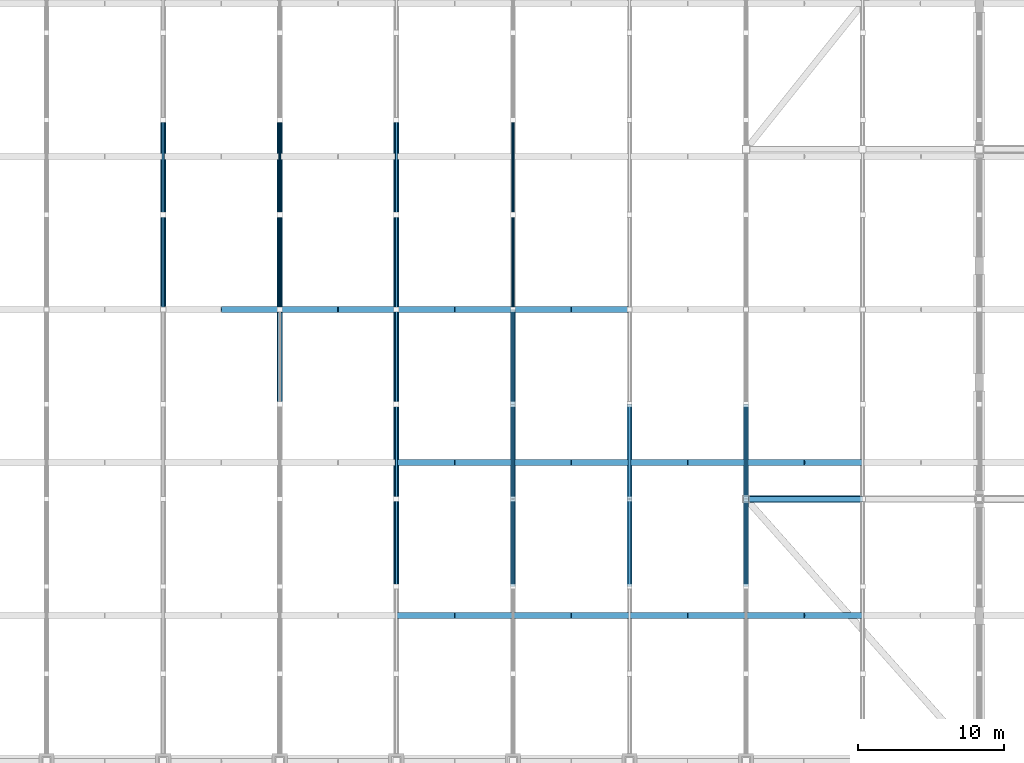
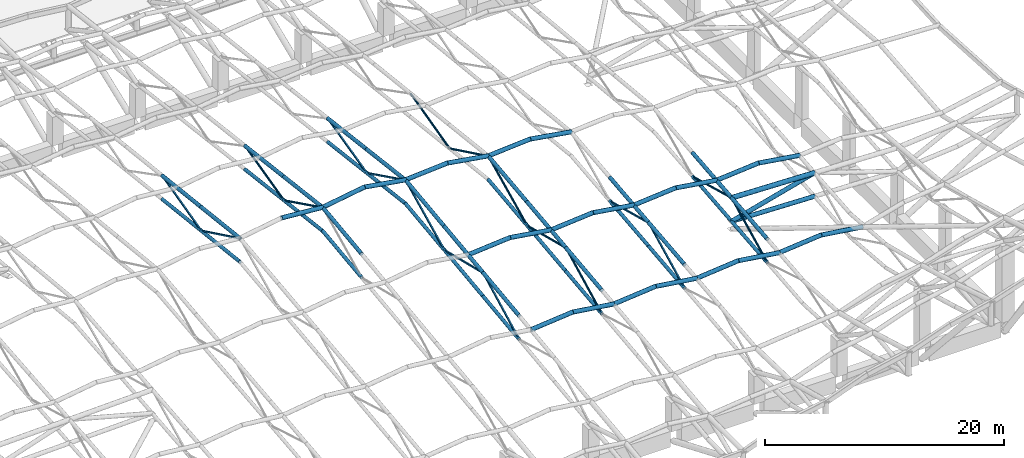
# One storey, part 8 of 75: 78 members.
"""IFC4 building model written with IfcOpenShell, lengths in metres."""

import ifcopenshell
import ifcopenshell.guid

model = None  # the IFC model being written
_history = None  # IfcOwnerHistory: only IFC2X3 demands one
_inside = {}  # id of a spatial element -> (the spatial element, [elements in it])
_under = {}  # id of a project, library or spatial element -> (it, [spatial elements below it])
_declared = {}  # id of a project -> (the project, [libraries it declares])
_typed = {}  # id of a type object -> (the type object, [elements of that type])
_made_of = {}  # id of a material, layer set ... -> (it, [elements and type objects made of it])


def new_model(schema):
    """Start an empty IFC model of exactly this schema.

    Asked for "IFC4X3", IfcOpenShell would pick the latest addendum, in which some entities
    have other attributes; the version numbers below select the first issue.
    IFC2X3 requires an IfcOwnerHistory on every rooted entity: one is made here for all.
    """
    global model, _history
    if schema == "IFC4X3":
        model = ifcopenshell.file(schema_version=(4, 3, 0, 0))
    else:
        model = ifcopenshell.file(schema=schema)
    _inside.clear()
    _under.clear()
    _declared.clear()
    _typed.clear()
    _made_of.clear()
    _history = None
    if model.schema == "IFC2X3":
        org = make("IfcOrganization", Name="unknown")
        user = make(
            "IfcPersonAndOrganization",
            ThePerson=make("IfcPerson", FamilyName="unknown"),
            TheOrganization=org,
        )
        app = make(
            "IfcApplication",
            ApplicationDeveloper=org,
            Version="unknown",
            ApplicationFullName="unknown",
            ApplicationIdentifier="unknown",
        )
        _history = make(
            "IfcOwnerHistory",
            OwningUser=user,
            OwningApplication=app,
            ChangeAction="ADDED",
            CreationDate=0,
        )
    return model


def make(cls, **values):
    """One entity of the class cls with the attributes given. An attribute that is None is left unset."""
    return model.create_entity(
        cls, **{name: value for name, value in values.items() if value is not None}
    )


def rooted(cls, **values):
    """An entity with a GlobalId (a new one), such as an element, a storey or a relation."""
    return make(cls, GlobalId=ifcopenshell.guid.new(), OwnerHistory=_history, **values)


def si_unit(unit_type, name, prefix=None):
    """IfcSIUnit, for example si_unit("LENGTHUNIT", "METRE", prefix="MILLI")."""
    return make("IfcSIUnit", UnitType=unit_type, Prefix=prefix, Name=name)


def assignment(units):
    """IfcUnitAssignment: the units of a project."""
    return None if units is None else make("IfcUnitAssignment", Units=units)


def point(xyz):
    """IfcCartesianPoint."""
    return None if xyz is None else make("IfcCartesianPoint", Coordinates=xyz)


def direction(xyz):
    """IfcDirection."""
    return None if xyz is None else make("IfcDirection", DirectionRatios=xyz)


def frame(location, z_axis=None, x_axis=None):
    """IfcAxis2Placement3D, a coordinate frame: its origin and axes. An axis left out is left unset."""
    return make(
        "IfcAxis2Placement3D",
        Location=point(location),
        Axis=direction(z_axis),
        RefDirection=direction(x_axis),
    )


def frame_2d(location, x_axis=None):
    """IfcAxis2Placement2D, a coordinate frame in the plane: its origin and x axis."""
    return make(
        "IfcAxis2Placement2D", Location=point(location), RefDirection=direction(x_axis)
    )


def origin():
    """The frame at (0, 0, 0) with its axes left unset."""
    return frame((0.0, 0.0, 0.0))


def origin_2d():
    """The frame at (0, 0) in the plane with its x axis left unset."""
    return frame_2d((0.0, 0.0))


def place(relative_to, where):
    """IfcLocalPlacement: puts the frame where relative to a parent placement (None: the world)."""
    return make(
        "IfcLocalPlacement", PlacementRelTo=relative_to, RelativePlacement=where
    )


def context(
    kind, dimensions, precision=None, world=None, true_north=None, identifier=None
):
    """IfcGeometricRepresentationContext, for example the 3D "Model" context."""
    return make(
        "IfcGeometricRepresentationContext",
        ContextIdentifier=identifier,
        ContextType=kind,
        CoordinateSpaceDimension=dimensions,
        Precision=precision,
        WorldCoordinateSystem=world,
        TrueNorth=true_north,
    )


def subcontext(parent, identifier, kind, view, scale=None):
    """IfcGeometricRepresentationSubContext, for example "Body" below "Model"."""
    return make(
        "IfcGeometricRepresentationSubContext",
        ContextIdentifier=identifier,
        ContextType=kind,
        ParentContext=parent,
        TargetScale=scale,
        TargetView=view,
    )


def project(units=None, contexts=None):
    """IfcProject with its units and contexts."""
    return rooted(
        "IfcProject",
        Name="project",
        RepresentationContexts=contexts,
        UnitsInContext=assignment(units),
    )


def spatial(cls, under=None, at=None, **own):
    """A site, building, storey or space (cls), placed at a placement, below another one or the project."""
    s = rooted(cls, ObjectPlacement=at, **own)
    if under is not None:
        _under.setdefault(under.id(), (under, []))[1].append(s)
    return s


def profile(cls, at=None, kind="AREA", **sizes):
    """A parametric profile (cls). Its sizes go by their IFC names, for example OverallWidth=200.0."""
    return make(cls, ProfileType=kind, Position=at, **sizes)


def hollow_rectangle(**sizes):
    """IfcRectangleHollowProfileDef."""
    return profile("IfcRectangleHollowProfileDef", **sizes)


def hollow_circle(**sizes):
    """IfcCircleHollowProfileDef."""
    return profile("IfcCircleHollowProfileDef", **sizes)


def extrude(swept, where, along, depth):
    """IfcExtrudedAreaSolid: the profile swept, set in the frame where, extruded along a direction by depth."""
    return make(
        "IfcExtrudedAreaSolid",
        SweptArea=swept,
        Position=where,
        ExtrudedDirection=direction(along),
        Depth=depth,
    )


def shape(context_of_items, identifier, shape_type, items):
    """IfcShapeRepresentation: the items that make up one representation, for example the "Body"."""
    return make(
        "IfcShapeRepresentation",
        ContextOfItems=context_of_items,
        RepresentationIdentifier=identifier,
        RepresentationType=shape_type,
        Items=items,
    )


def material(Name=None, Category=None):
    """IfcMaterial."""
    return make("IfcMaterial", Name=Name, Category=Category)


def material_profile(
    of_material, cross_section, Name=None, Category=None, Priority=None
):
    """IfcMaterialProfile: a cross section and its material."""
    return make(
        "IfcMaterialProfile",
        Name=Name,
        Material=of_material,
        Profile=cross_section,
        Priority=Priority,
        Category=Category,
    )


def profile_set(profiles, Name=None, composite=None):
    """IfcMaterialProfileSet."""
    return make(
        "IfcMaterialProfileSet",
        Name=Name,
        MaterialProfiles=profiles,
        CompositeProfile=composite,
    )


def made_of(thing, what):
    """Note that an element or type object is made of a material, layer set ...; save() writes the relation."""
    if what is not None:
        _made_of.setdefault(what.id(), (what, []))[1].append(thing)
    return thing


def type_object(cls, material=None, **own):
    """A type object (cls), such as IfcWallType, which elements share."""
    return made_of(rooted(cls, **own), material)


def element(
    cls,
    number,
    at=None,
    inside=None,
    cuts=None,
    type_object=None,
    material=None,
    context=None,
    identifier="Body",
    shape_type=None,
    held_by="IfcProductDefinitionShape",
    body=None,
    shapes=None,
    **own,
):
    """One element of the class cls, such as IfcWall. Its Tag is "e" and its number.

    at: its placement. inside: the storey or other place that contains it. cuts: it is an
    opening in that element (IfcRelVoidsElement). A single representation is given by context,
    identifier, shape_type and body (its items); several are given by shapes. held_by: the class
    of the entity that holds the representations. save() writes the other relations.
    """
    e = rooted(cls, Tag="e%d" % number, ObjectPlacement=at, **own)
    if body is not None:
        shapes = [shape(context, identifier, shape_type, body)]
    if shapes is not None:
        e.Representation = make(held_by, Representations=shapes)
    if inside is not None:
        _inside.setdefault(inside.id(), (inside, []))[1].append(e)
    if cuts is not None:
        rooted(
            "IfcRelVoidsElement", RelatingBuildingElement=cuts, RelatedOpeningElement=e
        )
    if type_object is not None:
        _typed.setdefault(type_object.id(), (type_object, []))[1].append(e)
    return made_of(e, material)


def aggregate(whole, parts):
    """IfcRelAggregates: a whole, such as a stair, and the parts it consists of."""
    return rooted("IfcRelAggregates", RelatingObject=whole, RelatedObjects=parts)


def save(model, path):
    """Write the relations noted so far, then the file.

    IfcRelAggregates (storeys below a building ...), IfcRelContainedInSpatialStructure (elements
    in a storey), IfcRelDefinesByType, IfcRelAssociatesMaterial and IfcRelDeclares: one each for
    every whole, place, type object, material and project.
    """
    for whole, parts in _under.values():
        aggregate(whole, parts)
    for where, things in _inside.values():
        rooted(
            "IfcRelContainedInSpatialStructure",
            RelatedElements=things,
            RelatingStructure=where,
        )
    for kind, things in _typed.values():
        rooted("IfcRelDefinesByType", RelatedObjects=things, RelatingType=kind)
    for what, things in _made_of.values():
        rooted("IfcRelAssociatesMaterial", RelatedObjects=things, RelatingMaterial=what)
    for by, libraries in _declared.values():
        rooted("IfcRelDeclares", RelatingContext=by, RelatedDefinitions=libraries)
    model.write(path)


model = new_model("IFC4")

# Units and contexts
model_context = context("Model", 3, precision=1e-05, world=origin(), true_north=direction((0.0, 1.0)))
body_context = subcontext(model_context, "Body", "Model", "MODEL_VIEW")
ifc_project = project(units=[si_unit("LENGTHUNIT", "METRE"), si_unit("AREAUNIT", "SQUARE_METRE"), si_unit("VOLUMEUNIT", "CUBIC_METRE"), si_unit("PLANEANGLEUNIT", "RADIAN"), si_unit("MASSUNIT", "GRAM", prefix="KILO")], contexts=[model_context])

# Site, building, storey
site_placement = place(None, origin())
site = spatial("IfcSite", under=ifc_project, at=site_placement, CompositionType="ELEMENT")
building_placement = place(site_placement, origin())
building = spatial("IfcBuilding", under=site, at=building_placement, Name="Khorjan Park Terminus", CompositionType="ELEMENT")
storey_placement = place(building_placement, frame((0.0, 0.0, 16.2)))
storey = spatial("IfcBuildingStorey", under=building, at=storey_placement, Name="L03", CompositionType="ELEMENT", Elevation=16.2)

# Members
ifc_material = material(Name="Steel S355", Category="steel")
ifc_material_profile_1 = material_profile(ifc_material, hollow_circle(Radius=0.0969, WallThickness=0.01, at=origin_2d()), Name="CHS 193.7x10")
ifc_profile_set_1 = profile_set([ifc_material_profile_1], Name="Steel S355")
member_type_1 = type_object("IfcMemberType", Name="MB-BR-194", PredefinedType="BRACE", material=ifc_profile_set_1)
member_1_placement = place(storey_placement, frame((88.0, 57.0, 9.2453), z_axis=(0.0, 0.897318326969, -0.441383982588), x_axis=(-1.0, 0.0, 0.0)))
element("IfcMember", 1, at=member_1_placement, inside=storey, type_object=member_type_1, Name="Upper shell fold space-truss web diagonal (6)", PredefinedType="BRACE", context=body_context, shape_type="SweptSolid", body=[
    extrude(hollow_circle(Radius=0.0969, WallThickness=0.01, at=origin_2d()), origin(), (0.0, 0.0, 1.0), 7.2438),
])
member_2_placement = place(storey_placement, frame((88.0, 63.5, 6.048), z_axis=(0.0, 0.970921200825, 0.239399293625), x_axis=(-1.0, 0.0, 0.0)))
element("IfcMember", 2, at=member_2_placement, inside=storey, type_object=member_type_1, Name="Upper shell fold space-truss web diagonal (6)", PredefinedType="BRACE", context=body_context, shape_type="SweptSolid", body=[
    extrude(hollow_circle(Radius=0.0969, WallThickness=0.01, at=origin_2d()), origin(), (0.0, 0.0, 1.0), 6.6947),
])
member_3_placement = place(storey_placement, frame((104.0, 38.0, 4.3212), z_axis=(0.0, 0.889228378973, 0.457463539563), x_axis=(-1.0, 0.0, 0.0)))
element("IfcMember", 3, at=member_3_placement, inside=storey, type_object=member_type_1, Name="Upper shell fold space-truss web diagonal (8)", PredefinedType="BRACE", context=body_context, shape_type="SweptSolid", body=[
    extrude(hollow_circle(Radius=0.0969, WallThickness=0.01, at=origin_2d()), origin(), (0.0, 0.0, 1.0), 6.7474),
])
member_4_placement = place(storey_placement, frame((104.0, 44.0, 7.4079), z_axis=(0.0, 0.969045313356, -0.246882929064), x_axis=(-1.0, 0.0, 0.0)))
element("IfcMember", 4, at=member_4_placement, inside=storey, type_object=member_type_1, Name="Upper shell fold space-truss web diagonal (8)", PredefinedType="BRACE", context=body_context, shape_type="SweptSolid", body=[
    extrude(hollow_circle(Radius=0.0969, WallThickness=0.01, at=origin_2d()), origin(), (0.0, 0.0, 1.0), 6.7076),
])
for number, where, z_axis, x_axis, name in (
    (5, (104.0, 50.5, 5.7519), (0.0, 0.90022230075, 0.435430602086), (-1.0, 0.0, 0.0), "Upper shell fold space-truss web diagonal (8)"),
    (6, (104.0, 57.0, 8.8959), (0.0, 0.90022230075, -0.435430602086), (-1.0, 0.0, 0.0), "Upper shell fold space-truss web diagonal (8)"),
):
    element("IfcMember", number, at=place(storey_placement, frame(where, z_axis=z_axis, x_axis=x_axis)), inside=storey, type_object=member_type_1, Name=name, PredefinedType="BRACE", context=body_context, shape_type="SweptSolid", body=[
        extrude(hollow_circle(Radius=0.0969, WallThickness=0.01, at=origin_2d()), origin(), (0.0, 0.0, 1.0), 7.2204),
    ])
member_5_placement = place(storey_placement, frame((104.0, 63.5, 5.7519), z_axis=(0.0, 0.969045313356, 0.246882929064), x_axis=(-1.0, 0.0, 0.0)))
element("IfcMember", 7, at=member_5_placement, inside=storey, type_object=member_type_1, Name="Upper shell fold space-truss web diagonal (8)", PredefinedType="BRACE", context=body_context, shape_type="SweptSolid", body=[
    extrude(hollow_circle(Radius=0.0969, WallThickness=0.01, at=origin_2d()), origin(), (0.0, 0.0, 1.0), 6.7076),
])
member_6_placement = place(storey_placement, frame((120.0, 38.0, 3.9341), z_axis=(0.0, 0.895124297915, 0.445816656577), x_axis=(-1.0, 0.0, 0.0)))
element("IfcMember", 8, at=member_6_placement, inside=storey, type_object=member_type_1, Name="Upper shell fold space-truss web diagonal (10)", PredefinedType="BRACE", context=body_context, shape_type="SweptSolid", body=[
    extrude(hollow_circle(Radius=0.0969, WallThickness=0.01, at=origin_2d()), origin(), (0.0, 0.0, 1.0), 6.703),
])
member_7_placement = place(storey_placement, frame((120.0, 44.0, 6.9224), z_axis=(0.0, 0.965140772781, -0.261731329259), x_axis=(-1.0, 0.0, 0.0)))
element("IfcMember", 9, at=member_7_placement, inside=storey, type_object=member_type_1, Name="Upper shell fold space-truss web diagonal (10)", PredefinedType="BRACE", context=body_context, shape_type="SweptSolid", body=[
    extrude(hollow_circle(Radius=0.0969, WallThickness=0.01, at=origin_2d()), origin(), (0.0, 0.0, 1.0), 6.7348),
])
ifc_material_profile_2 = material_profile(ifc_material, hollow_rectangle(XDim=0.15, YDim=0.15, WallThickness=0.01, InnerFilletRadius=0.01, OuterFilletRadius=0.02, at=origin_2d()), Name="SHS 150x150x10")
ifc_profile_set_2 = profile_set([ifc_material_profile_2], Name="Steel S355")
member_type_2 = type_object("IfcMemberType", Name="MB-BR-SHS150", PredefinedType="BRACE", material=ifc_profile_set_2)
member_8_placement = place(storey_placement, frame((80.0, 57.0, 8.8959), z_axis=(0.0, 0.90022230075, -0.435430602086), x_axis=(-1.0, 0.0, 0.0)))
element("IfcMember", 10, at=member_8_placement, inside=storey, type_object=member_type_2, Name="Upper shell fold space-truss web diagonal (5)", PredefinedType="BRACE", context=body_context, shape_type="SweptSolid", body=[
    extrude(hollow_rectangle(XDim=0.15, YDim=0.15, WallThickness=0.01, InnerFilletRadius=0.01, OuterFilletRadius=0.02, at=origin_2d()), origin(), (0.0, 0.0, 1.0), 7.2204),
])
member_9_placement = place(storey_placement, frame((80.0, 63.5, 5.7519), z_axis=(0.0, 0.969045313356, 0.246882929064), x_axis=(-1.0, 0.0, 0.0)))
element("IfcMember", 11, at=member_9_placement, inside=storey, type_object=member_type_2, Name="Upper shell fold space-truss web diagonal (5)", PredefinedType="BRACE", context=body_context, shape_type="SweptSolid", body=[
    extrude(hollow_rectangle(XDim=0.15, YDim=0.15, WallThickness=0.01, InnerFilletRadius=0.01, OuterFilletRadius=0.02, at=origin_2d()), origin(), (0.0, 0.0, 1.0), 6.7076),
])
member_10_placement = place(storey_placement, frame((96.0, 38.0, 4.5148), z_axis=(0.0, 0.88625355796, 0.463200422068), x_axis=(-1.0, 0.0, 0.0)))
element("IfcMember", 12, at=member_10_placement, inside=storey, type_object=member_type_2, Name="Upper shell fold space-truss web diagonal (7)", PredefinedType="BRACE", context=body_context, shape_type="SweptSolid", body=[
    extrude(hollow_rectangle(XDim=0.15, YDim=0.15, WallThickness=0.01, InnerFilletRadius=0.01, OuterFilletRadius=0.02, at=origin_2d()), origin(), (0.0, 0.0, 1.0), 6.7701),
])
member_11_placement = place(storey_placement, frame((96.0, 44.0, 7.6507), z_axis=(0.0, 0.970921200825, -0.239399293625), x_axis=(-1.0, 0.0, 0.0)))
element("IfcMember", 13, at=member_11_placement, inside=storey, type_object=member_type_2, Name="Upper shell fold space-truss web diagonal (7)", PredefinedType="BRACE", context=body_context, shape_type="SweptSolid", body=[
    extrude(hollow_rectangle(XDim=0.15, YDim=0.15, WallThickness=0.01, InnerFilletRadius=0.01, OuterFilletRadius=0.02, at=origin_2d()), origin(), (0.0, 0.0, 1.0), 6.6947),
])
for number, where, z_axis, x_axis, name in (
    (14, (96.0, 50.5, 6.048), (0.0, 0.897318326969, 0.441383982588), (-1.0, 0.0, 0.0), "Upper shell fold space-truss web diagonal (7)"),
    (15, (96.0, 57.0, 9.2453), (0.0, 0.897318326969, -0.441383982588), (-1.0, 0.0, 0.0), "Upper shell fold space-truss web diagonal (7)"),
):
    element("IfcMember", number, at=place(storey_placement, frame(where, z_axis=z_axis, x_axis=x_axis)), inside=storey, type_object=member_type_2, Name=name, PredefinedType="BRACE", context=body_context, shape_type="SweptSolid", body=[
        extrude(hollow_rectangle(XDim=0.15, YDim=0.15, WallThickness=0.01, InnerFilletRadius=0.01, OuterFilletRadius=0.02, at=origin_2d()), origin(), (0.0, 0.0, 1.0), 7.2438),
    ])
member_12_placement = place(storey_placement, frame((96.0, 63.5, 6.048), z_axis=(0.0, 0.970921200825, 0.239399293625), x_axis=(-1.0, 0.0, 0.0)))
element("IfcMember", 16, at=member_12_placement, inside=storey, type_object=member_type_2, Name="Upper shell fold space-truss web diagonal (7)", PredefinedType="BRACE", context=body_context, shape_type="SweptSolid", body=[
    extrude(hollow_rectangle(XDim=0.15, YDim=0.15, WallThickness=0.01, InnerFilletRadius=0.01, OuterFilletRadius=0.02, at=origin_2d()), origin(), (0.0, 0.0, 1.0), 6.6947),
])
member_13_placement = place(storey_placement, frame((112.0, 38.0, 4.1276), z_axis=(0.0, 0.892179610411, 0.451680797431), x_axis=(-1.0, 0.0, 0.0)))
element("IfcMember", 17, at=member_13_placement, inside=storey, type_object=member_type_2, Name="Upper shell fold space-truss web diagonal (9)", PredefinedType="BRACE", context=body_context, shape_type="SweptSolid", body=[
    extrude(hollow_rectangle(XDim=0.15, YDim=0.15, WallThickness=0.01, InnerFilletRadius=0.01, OuterFilletRadius=0.02, at=origin_2d()), origin(), (0.0, 0.0, 1.0), 6.7251),
])
member_14_placement = place(storey_placement, frame((112.0, 44.0, 7.1652), z_axis=(0.0, 0.967115768639, -0.254336568448), x_axis=(-1.0, 0.0, 0.0)))
element("IfcMember", 18, at=member_14_placement, inside=storey, type_object=member_type_2, Name="Upper shell fold space-truss web diagonal (9)", PredefinedType="BRACE", context=body_context, shape_type="SweptSolid", body=[
    extrude(hollow_rectangle(XDim=0.15, YDim=0.15, WallThickness=0.01, InnerFilletRadius=0.01, OuterFilletRadius=0.02, at=origin_2d()), origin(), (0.0, 0.0, 1.0), 6.721),
])
ifc_material_profile_3 = material_profile(ifc_material, hollow_circle(Radius=0.162, WallThickness=0.0125, at=origin_2d()), Name="CHS 323.9x12.5")
ifc_profile_set_3 = profile_set([ifc_material_profile_3], Name="Steel S355")
member_type_3 = type_object("IfcMemberType", Name="MB-CH-324", PredefinedType="CHORD", material=ifc_profile_set_3)
for number, where, z_axis, x_axis, name in (
    (19, (80.0, 57.0, 6.4959), (0.0, 0.993512951244, -0.113719020881), (-1.0, 0.0, 0.0), "Upper shell fold space-truss bottom chord (5)"),
    (20, (80.0, 63.5, 5.7519), (0.0, 0.993512951244, -0.113719020881), (-1.0, 0.0, 0.0), "Upper shell fold space-truss bottom chord (5)"),
):
    element("IfcMember", number, at=place(storey_placement, frame(where, z_axis=z_axis, x_axis=x_axis)), inside=storey, type_object=member_type_3, Name=name, PredefinedType="CHORD", context=body_context, shape_type="SweptSolid", body=[
        extrude(hollow_circle(Radius=0.162, WallThickness=0.0125, at=origin_2d()), origin(), (0.0, 0.0, 1.0), 6.5424),
    ])
for number, where, z_axis, x_axis, name in (
    (21, (88.0, 50.5, 6.048), (0.0, 0.992560914562, 0.121749048797), (-1.0, 0.0, 0.0), "Upper shell fold space-truss bottom chord (6)"),
    (22, (88.0, 57.0, 6.8453), (0.0, 0.992560914562, -0.121749048797), (-1.0, 0.0, 0.0), "Upper shell fold space-truss bottom chord (6)"),
    (23, (88.0, 63.5, 6.048), (0.0, 0.992560914562, -0.121749048797), (-1.0, 0.0, 0.0), "Upper shell fold space-truss bottom chord (6)"),
):
    element("IfcMember", number, at=place(storey_placement, frame(where, z_axis=z_axis, x_axis=x_axis)), inside=storey, type_object=member_type_3, Name=name, PredefinedType="CHORD", context=body_context, shape_type="SweptSolid", body=[
        extrude(hollow_circle(Radius=0.162, WallThickness=0.0125, at=origin_2d()), origin(), (0.0, 0.0, 1.0), 6.5487),
    ])
member_15_placement = place(storey_placement, frame((96.0, 38.0, 4.5148), z_axis=(0.0, 0.992562298474, 0.121737765908), x_axis=(-1.0, 0.0, 0.0)))
element("IfcMember", 24, at=member_15_placement, inside=storey, type_object=member_type_3, Name="Upper shell fold space-truss bottom chord (7)", PredefinedType="CHORD", context=body_context, shape_type="SweptSolid", body=[
    extrude(hollow_circle(Radius=0.162, WallThickness=0.0125, at=origin_2d()), origin(), (0.0, 0.0, 1.0), 6.045),
])
for number, where, z_axis, x_axis, name in (
    (25, (96.0, 44.0, 5.2507), (0.0, 0.992560914562, 0.121749048797), (-1.0, 0.0, 0.0), "Upper shell fold space-truss bottom chord (7)"),
    (26, (96.0, 50.5, 6.048), (0.0, 0.992560914562, 0.121749048797), (-1.0, 0.0, 0.0), "Upper shell fold space-truss bottom chord (7)"),
    (27, (96.0, 57.0, 6.8453), (0.0, 0.992560914562, -0.121749048797), (-1.0, 0.0, 0.0), "Upper shell fold space-truss bottom chord (7)"),
    (28, (96.0, 63.5, 6.048), (0.0, 0.992560914562, -0.121749048797), (-1.0, 0.0, 0.0), "Upper shell fold space-truss bottom chord (7)"),
):
    element("IfcMember", number, at=place(storey_placement, frame(where, z_axis=z_axis, x_axis=x_axis)), inside=storey, type_object=member_type_3, Name=name, PredefinedType="CHORD", context=body_context, shape_type="SweptSolid", body=[
        extrude(hollow_circle(Radius=0.162, WallThickness=0.0125, at=origin_2d()), origin(), (0.0, 0.0, 1.0), 6.5487),
    ])
member_16_placement = place(storey_placement, frame((104.0, 38.0, 4.3212), z_axis=(0.0, 0.993514246355, 0.113707705495), x_axis=(-1.0, 0.0, 0.0)))
element("IfcMember", 29, at=member_16_placement, inside=storey, type_object=member_type_3, Name="Upper shell fold space-truss bottom chord (8)", PredefinedType="CHORD", context=body_context, shape_type="SweptSolid", body=[
    extrude(hollow_circle(Radius=0.162, WallThickness=0.0125, at=origin_2d()), origin(), (0.0, 0.0, 1.0), 6.0392),
])
for number, where, z_axis, x_axis, name in (
    (30, (104.0, 44.0, 5.0079), (0.0, 0.993512951244, 0.113719020881), (-1.0, 0.0, 0.0), "Upper shell fold space-truss bottom chord (8)"),
    (31, (104.0, 50.5, 5.7519), (0.0, 0.993512951244, 0.113719020881), (-1.0, 0.0, 0.0), "Upper shell fold space-truss bottom chord (8)"),
):
    element("IfcMember", number, at=place(storey_placement, frame(where, z_axis=z_axis, x_axis=x_axis)), inside=storey, type_object=member_type_3, Name=name, PredefinedType="CHORD", context=body_context, shape_type="SweptSolid", body=[
        extrude(hollow_circle(Radius=0.162, WallThickness=0.0125, at=origin_2d()), origin(), (0.0, 0.0, 1.0), 6.5424),
    ])
member_17_placement = place(storey_placement, frame((112.0, 38.0, 4.1276), z_axis=(0.0, 0.994401073252, 0.105671687384), x_axis=(-1.0, 0.0, 0.0)))
element("IfcMember", 32, at=member_17_placement, inside=storey, type_object=member_type_3, Name="Upper shell fold space-truss bottom chord (9)", PredefinedType="CHORD", context=body_context, shape_type="SweptSolid", body=[
    extrude(hollow_circle(Radius=0.162, WallThickness=0.0125, at=origin_2d()), origin(), (0.0, 0.0, 1.0), 6.0338),
])
member_18_placement = place(storey_placement, frame((112.0, 44.0, 4.7652), z_axis=(0.0, 0.994403216472, 0.105651517122), x_axis=(-1.0, 0.0, 0.0)))
element("IfcMember", 33, at=member_18_placement, inside=storey, type_object=member_type_3, Name="Upper shell fold space-truss bottom chord (9)", PredefinedType="CHORD", context=body_context, shape_type="SweptSolid", body=[
    extrude(hollow_circle(Radius=0.162, WallThickness=0.0125, at=origin_2d()), origin(), (0.0, 0.0, 1.0), 6.5366),
])
member_19_placement = place(storey_placement, frame((120.0, 38.0, 3.9341), z_axis=(0.0, 0.995227482841, 0.097582054693), x_axis=(-1.0, 0.0, 0.0)))
element("IfcMember", 34, at=member_19_placement, inside=storey, type_object=member_type_3, Name="Upper shell fold space-truss bottom chord (10)", PredefinedType="CHORD", context=body_context, shape_type="SweptSolid", body=[
    extrude(hollow_circle(Radius=0.162, WallThickness=0.0125, at=origin_2d()), origin(), (0.0, 0.0, 1.0), 6.0288),
])
member_20_placement = place(storey_placement, frame((120.0, 44.0, 4.5224), z_axis=(0.0, 0.995227854576, 0.097578263342), x_axis=(-1.0, 0.0, 0.0)))
element("IfcMember", 35, at=member_20_placement, inside=storey, type_object=member_type_3, Name="Upper shell fold space-truss bottom chord (10)", PredefinedType="CHORD", context=body_context, shape_type="SweptSolid", body=[
    extrude(hollow_circle(Radius=0.162, WallThickness=0.0125, at=origin_2d()), origin(), (0.0, 0.0, 1.0), 6.5312),
])
ifc_material_profile_4 = material_profile(ifc_material, hollow_circle(Radius=0.1778, WallThickness=0.016, at=origin_2d()), Name="CHS 355.6x16")
ifc_profile_set_4 = profile_set([ifc_material_profile_4], Name="Steel S355")
member_type_4 = type_object("IfcMemberType", Name="MB-CH-356", PredefinedType="CHORD", material=ifc_profile_set_4)
for number, where, z_axis, x_axis, name in (
    (36, (80.0, 57.0, 8.8959), (0.0, 0.993512951244, -0.113719020881), (-1.0, 0.0, 0.0), "Upper shell fold space-truss top chord (5)"),
    (37, (80.0, 63.5, 8.1519), (0.0, 0.993512951244, -0.113719020881), (-1.0, 0.0, 0.0), "Upper shell fold space-truss top chord (5)"),
):
    element("IfcMember", number, at=place(storey_placement, frame(where, z_axis=z_axis, x_axis=x_axis)), inside=storey, type_object=member_type_4, Name=name, PredefinedType="CHORD", context=body_context, shape_type="SweptSolid", body=[
        extrude(hollow_circle(Radius=0.1778, WallThickness=0.016, at=origin_2d()), origin(), (0.0, 0.0, 1.0), 6.5424),
    ])
for number, where, z_axis, x_axis, name in (
    (38, (88.0, 50.5, 8.448), (0.0, 0.992560914562, 0.121749048797), (-1.0, 0.0, 0.0), "Upper shell fold space-truss top chord (6)"),
    (39, (88.0, 57.0, 9.2453), (0.0, 0.992560914562, -0.121749048797), (-1.0, 0.0, 0.0), "Upper shell fold space-truss top chord (6)"),
    (40, (88.0, 63.5, 8.448), (0.0, 0.992560914562, -0.121749048797), (-1.0, 0.0, 0.0), "Upper shell fold space-truss top chord (6)"),
):
    element("IfcMember", number, at=place(storey_placement, frame(where, z_axis=z_axis, x_axis=x_axis)), inside=storey, type_object=member_type_4, Name=name, PredefinedType="CHORD", context=body_context, shape_type="SweptSolid", body=[
        extrude(hollow_circle(Radius=0.1778, WallThickness=0.016, at=origin_2d()), origin(), (0.0, 0.0, 1.0), 6.5487),
    ])
member_21_placement = place(storey_placement, frame((96.0, 38.0, 6.9148), z_axis=(0.0, 0.992562298474, 0.121737765908), x_axis=(-1.0, 0.0, 0.0)))
element("IfcMember", 41, at=member_21_placement, inside=storey, type_object=member_type_4, Name="Upper shell fold space-truss top chord (7)", PredefinedType="CHORD", context=body_context, shape_type="SweptSolid", body=[
    extrude(hollow_circle(Radius=0.1778, WallThickness=0.016, at=origin_2d()), origin(), (0.0, 0.0, 1.0), 6.045),
])
for number, where, z_axis, x_axis, name in (
    (42, (96.0, 44.0, 7.6507), (0.0, 0.992560914562, 0.121749048797), (-1.0, 0.0, 0.0), "Upper shell fold space-truss top chord (7)"),
    (43, (96.0, 50.5, 8.448), (0.0, 0.992560914562, 0.121749048797), (-1.0, 0.0, 0.0), "Upper shell fold space-truss top chord (7)"),
    (44, (96.0, 57.0, 9.2453), (0.0, 0.992560914562, -0.121749048797), (-1.0, 0.0, 0.0), "Upper shell fold space-truss top chord (7)"),
    (45, (96.0, 63.5, 8.448), (0.0, 0.992560914562, -0.121749048797), (-1.0, 0.0, 0.0), "Upper shell fold space-truss top chord (7)"),
):
    element("IfcMember", number, at=place(storey_placement, frame(where, z_axis=z_axis, x_axis=x_axis)), inside=storey, type_object=member_type_4, Name=name, PredefinedType="CHORD", context=body_context, shape_type="SweptSolid", body=[
        extrude(hollow_circle(Radius=0.1778, WallThickness=0.016, at=origin_2d()), origin(), (0.0, 0.0, 1.0), 6.5487),
    ])
member_22_placement = place(storey_placement, frame((104.0, 38.0, 6.7212), z_axis=(0.0, 0.993514246355, 0.113707705495), x_axis=(-1.0, 0.0, 0.0)))
element("IfcMember", 46, at=member_22_placement, inside=storey, type_object=member_type_4, Name="Upper shell fold space-truss top chord (8)", PredefinedType="CHORD", context=body_context, shape_type="SweptSolid", body=[
    extrude(hollow_circle(Radius=0.1778, WallThickness=0.016, at=origin_2d()), origin(), (0.0, 0.0, 1.0), 6.0392),
])
for number, where, z_axis, x_axis, name in (
    (47, (104.0, 44.0, 7.4079), (0.0, 0.993512951244, 0.113719020881), (-1.0, 0.0, 0.0), "Upper shell fold space-truss top chord (8)"),
    (48, (104.0, 50.5, 8.1519), (0.0, 0.993512951244, 0.113719020881), (-1.0, 0.0, 0.0), "Upper shell fold space-truss top chord (8)"),
):
    element("IfcMember", number, at=place(storey_placement, frame(where, z_axis=z_axis, x_axis=x_axis)), inside=storey, type_object=member_type_4, Name=name, PredefinedType="CHORD", context=body_context, shape_type="SweptSolid", body=[
        extrude(hollow_circle(Radius=0.1778, WallThickness=0.016, at=origin_2d()), origin(), (0.0, 0.0, 1.0), 6.5424),
    ])
member_23_placement = place(storey_placement, frame((112.0, 38.0, 6.5276), z_axis=(0.0, 0.994401073252, 0.105671687384), x_axis=(-1.0, 0.0, 0.0)))
element("IfcMember", 49, at=member_23_placement, inside=storey, type_object=member_type_4, Name="Upper shell fold space-truss top chord (9)", PredefinedType="CHORD", context=body_context, shape_type="SweptSolid", body=[
    extrude(hollow_circle(Radius=0.1778, WallThickness=0.016, at=origin_2d()), origin(), (0.0, 0.0, 1.0), 6.0338),
])
member_24_placement = place(storey_placement, frame((112.0, 44.0, 7.1652), z_axis=(0.0, 0.994403216472, 0.105651517122), x_axis=(-1.0, 0.0, 0.0)))
element("IfcMember", 50, at=member_24_placement, inside=storey, type_object=member_type_4, Name="Upper shell fold space-truss top chord (9)", PredefinedType="CHORD", context=body_context, shape_type="SweptSolid", body=[
    extrude(hollow_circle(Radius=0.1778, WallThickness=0.016, at=origin_2d()), origin(), (0.0, 0.0, 1.0), 6.5366),
])
member_25_placement = place(storey_placement, frame((120.0, 38.0, 6.3341), z_axis=(0.0, 0.995227482841, 0.097582054693), x_axis=(-1.0, 0.0, 0.0)))
element("IfcMember", 51, at=member_25_placement, inside=storey, type_object=member_type_4, Name="Upper shell fold space-truss top chord (10)", PredefinedType="CHORD", context=body_context, shape_type="SweptSolid", body=[
    extrude(hollow_circle(Radius=0.1778, WallThickness=0.016, at=origin_2d()), origin(), (0.0, 0.0, 1.0), 6.0288),
])
member_26_placement = place(storey_placement, frame((120.0, 44.0, 6.9224), z_axis=(0.0, 0.995227854576, 0.097578263342), x_axis=(-1.0, 0.0, 0.0)))
element("IfcMember", 52, at=member_26_placement, inside=storey, type_object=member_type_4, Name="Upper shell fold space-truss top chord (10)", PredefinedType="CHORD", context=body_context, shape_type="SweptSolid", body=[
    extrude(hollow_circle(Radius=0.1778, WallThickness=0.016, at=origin_2d()), origin(), (0.0, 0.0, 1.0), 6.5312),
])
ifc_material_profile_5 = material_profile(ifc_material, hollow_circle(Radius=0.2032, WallThickness=0.016, at=origin_2d()), Name="CHS 406.4x16")
ifc_profile_set_5 = profile_set([ifc_material_profile_5], Name="Steel S355")
member_type_5 = type_object("IfcMemberType", Name="MB-CH-406", PredefinedType="CHORD", material=ifc_profile_set_5)
member_27_placement = place(storey_placement, frame((96.0, 36.0, 6.7094), z_axis=(0.995316476949, 0.0, 0.096670112824), x_axis=(0.0, 1.0, 0.0)))
element("IfcMember", 53, at=member_27_placement, inside=storey, type_object=member_type_5, Name="Upper shell fold rib chord (103)", PredefinedType="CHORD", context=body_context, shape_type="SweptSolid", body=[
    extrude(hollow_circle(Radius=0.2032, WallThickness=0.016, at=origin_2d()), origin(), (0.0, 0.0, 1.0), 4.0188),
])
member_28_placement = place(storey_placement, frame((100.0, 36.0, 7.0979), z_axis=(0.990150474603, 0.0, -0.140007277109), x_axis=(0.0, 1.0, 0.0)))
element("IfcMember", 54, at=member_28_placement, inside=storey, type_object=member_type_5, Name="Upper shell fold rib chord (104)", PredefinedType="CHORD", context=body_context, shape_type="SweptSolid", body=[
    extrude(hollow_circle(Radius=0.2032, WallThickness=0.016, at=origin_2d()), origin(), (0.0, 0.0, 1.0), 4.0398),
])
member_29_placement = place(storey_placement, frame((104.0, 36.0, 6.5323), z_axis=(0.995318870818, 0.0, 0.096645462356), x_axis=(0.0, 1.0, 0.0)))
element("IfcMember", 55, at=member_29_placement, inside=storey, type_object=member_type_5, Name="Upper shell fold rib chord (105)", PredefinedType="CHORD", context=body_context, shape_type="SweptSolid", body=[
    extrude(hollow_circle(Radius=0.2032, WallThickness=0.016, at=origin_2d()), origin(), (0.0, 0.0, 1.0), 4.0188),
])
member_30_placement = place(storey_placement, frame((108.0, 36.0, 6.9207), z_axis=(0.990150474603, 0.0, -0.140007277109), x_axis=(0.0, 1.0, 0.0)))
element("IfcMember", 56, at=member_30_placement, inside=storey, type_object=member_type_5, Name="Upper shell fold rib chord (106)", PredefinedType="CHORD", context=body_context, shape_type="SweptSolid", body=[
    extrude(hollow_circle(Radius=0.2032, WallThickness=0.016, at=origin_2d()), origin(), (0.0, 0.0, 1.0), 4.0398),
])
member_31_placement = place(storey_placement, frame((112.0, 36.0, 6.3551), z_axis=(0.995318870818, 0.0, 0.096645462356), x_axis=(0.0, 1.0, 0.0)))
element("IfcMember", 57, at=member_31_placement, inside=storey, type_object=member_type_5, Name="Upper shell fold rib chord (107)", PredefinedType="CHORD", context=body_context, shape_type="SweptSolid", body=[
    extrude(hollow_circle(Radius=0.2032, WallThickness=0.016, at=origin_2d()), origin(), (0.0, 0.0, 1.0), 4.0188),
])
member_32_placement = place(storey_placement, frame((116.0, 36.0, 6.7435), z_axis=(0.990150474603, 0.0, -0.140007277109), x_axis=(0.0, 1.0, 0.0)))
element("IfcMember", 58, at=member_32_placement, inside=storey, type_object=member_type_5, Name="Upper shell fold rib chord (108)", PredefinedType="CHORD", context=body_context, shape_type="SweptSolid", body=[
    extrude(hollow_circle(Radius=0.2032, WallThickness=0.016, at=origin_2d()), origin(), (0.0, 0.0, 1.0), 4.0398),
])
member_33_placement = place(storey_placement, frame((120.0, 36.0, 6.1779), z_axis=(0.995316476949, 0.0, 0.096670112824), x_axis=(0.0, 1.0, 0.0)))
element("IfcMember", 59, at=member_33_placement, inside=storey, type_object=member_type_5, Name="Upper shell fold rib chord (109)", PredefinedType="CHORD", context=body_context, shape_type="SweptSolid", body=[
    extrude(hollow_circle(Radius=0.2032, WallThickness=0.016, at=origin_2d()), origin(), (0.0, 0.0, 1.0), 4.0188),
])
member_34_placement = place(storey_placement, frame((124.0, 36.0, 6.5664), z_axis=(0.990150474603, 0.0, -0.140007277109), x_axis=(0.0, 1.0, 0.0)))
element("IfcMember", 60, at=member_34_placement, inside=storey, type_object=member_type_5, Name="Upper shell fold rib chord (110)", PredefinedType="CHORD", context=body_context, shape_type="SweptSolid", body=[
    extrude(hollow_circle(Radius=0.2032, WallThickness=0.016, at=origin_2d()), origin(), (0.0, 0.0, 1.0), 4.0398),
])
member_35_placement = place(storey_placement, frame((96.0, 46.5, 7.9974), z_axis=(0.996294693349, 0.0, 0.086005139403), x_axis=(0.0, 1.0, 0.0)))
element("IfcMember", 61, at=member_35_placement, inside=storey, type_object=member_type_5, Name="Upper shell fold rib chord (129)", PredefinedType="CHORD", context=body_context, shape_type="SweptSolid", body=[
    extrude(hollow_circle(Radius=0.2032, WallThickness=0.016, at=origin_2d()), origin(), (0.0, 0.0, 1.0), 4.0149),
])
member_36_placement = place(storey_placement, frame((100.0, 46.5, 8.3427), z_axis=(0.988622353186, 0.0, -0.150418891037), x_axis=(0.0, 1.0, 0.0)))
element("IfcMember", 62, at=member_36_placement, inside=storey, type_object=member_type_5, Name="Upper shell fold rib chord (130)", PredefinedType="CHORD", context=body_context, shape_type="SweptSolid", body=[
    extrude(hollow_circle(Radius=0.2032, WallThickness=0.016, at=origin_2d()), origin(), (0.0, 0.0, 1.0), 4.046),
])
member_37_placement = place(storey_placement, frame((104.0, 46.5, 7.7341), z_axis=(0.996294693349, 0.0, 0.086005139403), x_axis=(0.0, 1.0, 0.0)))
element("IfcMember", 63, at=member_37_placement, inside=storey, type_object=member_type_5, Name="Upper shell fold rib chord (131)", PredefinedType="CHORD", context=body_context, shape_type="SweptSolid", body=[
    extrude(hollow_circle(Radius=0.2032, WallThickness=0.016, at=origin_2d()), origin(), (0.0, 0.0, 1.0), 4.0149),
])
member_38_placement = place(storey_placement, frame((108.0, 46.5, 8.0794), z_axis=(0.988622353186, 0.0, -0.150418891037), x_axis=(0.0, 1.0, 0.0)))
element("IfcMember", 64, at=member_38_placement, inside=storey, type_object=member_type_5, Name="Upper shell fold rib chord (132)", PredefinedType="CHORD", context=body_context, shape_type="SweptSolid", body=[
    extrude(hollow_circle(Radius=0.2032, WallThickness=0.016, at=origin_2d()), origin(), (0.0, 0.0, 1.0), 4.046),
])
member_39_placement = place(storey_placement, frame((112.0, 46.5, 7.4708), z_axis=(0.996294693349, 0.0, 0.086005139403), x_axis=(0.0, 1.0, 0.0)))
element("IfcMember", 65, at=member_39_placement, inside=storey, type_object=member_type_5, Name="Upper shell fold rib chord (133)", PredefinedType="CHORD", context=body_context, shape_type="SweptSolid", body=[
    extrude(hollow_circle(Radius=0.2032, WallThickness=0.016, at=origin_2d()), origin(), (0.0, 0.0, 1.0), 4.0149),
])
member_40_placement = place(storey_placement, frame((116.0, 46.5, 7.8161), z_axis=(0.988622353186, 0.0, -0.150418891037), x_axis=(0.0, 1.0, 0.0)))
element("IfcMember", 66, at=member_40_placement, inside=storey, type_object=member_type_5, Name="Upper shell fold rib chord (134)", PredefinedType="CHORD", context=body_context, shape_type="SweptSolid", body=[
    extrude(hollow_circle(Radius=0.2032, WallThickness=0.016, at=origin_2d()), origin(), (0.0, 0.0, 1.0), 4.046),
])
member_41_placement = place(storey_placement, frame((120.0, 46.5, 7.2075), z_axis=(0.996292558823, 0.0, 0.086029862454), x_axis=(0.0, 1.0, 0.0)))
element("IfcMember", 67, at=member_41_placement, inside=storey, type_object=member_type_5, Name="Upper shell fold rib chord (135)", PredefinedType="CHORD", context=body_context, shape_type="SweptSolid", body=[
    extrude(hollow_circle(Radius=0.2032, WallThickness=0.016, at=origin_2d()), origin(), (0.0, 0.0, 1.0), 4.0149),
])
member_42_placement = place(storey_placement, frame((124.0, 46.5, 7.5529), z_axis=(0.988618677516, 0.0, -0.150443047251), x_axis=(0.0, 1.0, 0.0)))
element("IfcMember", 68, at=member_42_placement, inside=storey, type_object=member_type_5, Name="Upper shell fold rib chord (136)", PredefinedType="CHORD", context=body_context, shape_type="SweptSolid", body=[
    extrude(hollow_circle(Radius=0.2032, WallThickness=0.016, at=origin_2d()), origin(), (0.0, 0.0, 1.0), 4.046),
])
member_43_placement = place(storey_placement, frame((84.0, 57.0, 9.5876), z_axis=(0.997156385058, 0.0, -0.075360093801), x_axis=(0.0, 1.0, 0.0)))
element("IfcMember", 69, at=member_43_placement, inside=storey, type_object=member_type_5, Name="Upper shell fold rib chord (152)", PredefinedType="CHORD", context=body_context, shape_type="SweptSolid", body=[
    extrude(hollow_circle(Radius=0.2032, WallThickness=0.016, at=origin_2d()), origin(), (0.0, 0.0, 1.0), 4.0114),
])
for number, where, z_axis, x_axis, name in (
    (70, (88.0, 57.0, 9.2853), (0.986986239924, 0.0, 0.16080473314), (0.0, 1.0, 0.0), "Upper shell fold rib chord (153)"),
    (71, (92.0, 57.0, 9.937), (0.986986239924, 0.0, -0.16080473314), (0.0, 1.0, 0.0), "Upper shell fold rib chord (154)"),
):
    element("IfcMember", number, at=place(storey_placement, frame(where, z_axis=z_axis, x_axis=x_axis)), inside=storey, type_object=member_type_5, Name=name, PredefinedType="CHORD", context=body_context, shape_type="SweptSolid", body=[
        extrude(hollow_circle(Radius=0.2032, WallThickness=0.016, at=origin_2d()), origin(), (0.0, 0.0, 1.0), 4.0527),
    ])
member_44_placement = place(storey_placement, frame((96.0, 57.0, 9.2853), z_axis=(0.997156385058, 0.0, 0.075360093801), x_axis=(0.0, 1.0, 0.0)))
element("IfcMember", 72, at=member_44_placement, inside=storey, type_object=member_type_5, Name="Upper shell fold rib chord (155)", PredefinedType="CHORD", context=body_context, shape_type="SweptSolid", body=[
    extrude(hollow_circle(Radius=0.2032, WallThickness=0.016, at=origin_2d()), origin(), (0.0, 0.0, 1.0), 4.0114),
])
member_45_placement = place(storey_placement, frame((100.0, 57.0, 9.5876), z_axis=(0.986986239924, 0.0, -0.16080473314), x_axis=(0.0, 1.0, 0.0)))
element("IfcMember", 73, at=member_45_placement, inside=storey, type_object=member_type_5, Name="Upper shell fold rib chord (156)", PredefinedType="CHORD", context=body_context, shape_type="SweptSolid", body=[
    extrude(hollow_circle(Radius=0.2032, WallThickness=0.016, at=origin_2d()), origin(), (0.0, 0.0, 1.0), 4.0527),
])
member_46_placement = place(storey_placement, frame((104.0, 57.0, 8.9359), z_axis=(0.997156385058, 0.0, 0.075360093801), x_axis=(0.0, 1.0, 0.0)))
element("IfcMember", 74, at=member_46_placement, inside=storey, type_object=member_type_5, Name="Upper shell fold rib chord (157)", PredefinedType="CHORD", context=body_context, shape_type="SweptSolid", body=[
    extrude(hollow_circle(Radius=0.2032, WallThickness=0.016, at=origin_2d()), origin(), (0.0, 0.0, 1.0), 4.0114),
])
member_47_placement = place(storey_placement, frame((108.0, 57.0, 9.2382), z_axis=(0.986986239924, 0.0, -0.16080473314), x_axis=(0.0, 1.0, 0.0)))
element("IfcMember", 75, at=member_47_placement, inside=storey, type_object=member_type_5, Name="Upper shell fold rib chord (158)", PredefinedType="CHORD", context=body_context, shape_type="SweptSolid", body=[
    extrude(hollow_circle(Radius=0.2032, WallThickness=0.016, at=origin_2d()), origin(), (0.0, 0.0, 1.0), 4.0527),
])
member_48_placement = place(storey_placement, frame((120.0, 44.0, 4.5224), z_axis=(0.999539756681, 0.0, -0.030336031615), x_axis=(0.0, 1.0, 0.0)))
element("IfcMember", 76, at=member_48_placement, inside=storey, type_object=member_type_5, Name="Upper shell longitudinal truss bottom chord (E2)", PredefinedType="CHORD", context=body_context, shape_type="SweptSolid", body=[
    extrude(hollow_circle(Radius=0.2032, WallThickness=0.016, at=origin_2d()), origin(), (0.0, 0.0, 1.0), 8.0037),
])
ifc_material_profile_6 = material_profile(ifc_material, hollow_circle(Radius=0.2285, WallThickness=0.016, at=origin_2d()), Name="CHS 457x16")
ifc_profile_set_6 = profile_set([ifc_material_profile_6], Name="Steel S355")
member_type_6 = type_object("IfcMemberType", Name="MB-CH-457", PredefinedType="CHORD", material=ifc_profile_set_6)
member_49_placement = place(storey_placement, frame((120.0, 44.0, 6.9224), z_axis=(0.999539756681, 0.0, -0.030336031615), x_axis=(0.0, 1.0, 0.0)))
element("IfcMember", 77, at=member_49_placement, inside=storey, type_object=member_type_6, Name="Upper shell longitudinal truss top chord (E2)", PredefinedType="CHORD", context=body_context, shape_type="SweptSolid", body=[
    extrude(hollow_circle(Radius=0.2285, WallThickness=0.016, at=origin_2d()), origin(), (0.0, 0.0, 1.0), 8.0037),
])
ifc_material_profile_7 = material_profile(ifc_material, hollow_circle(Radius=0.2032, WallThickness=0.016, at=origin_2d()), Name="CHS 406.4x16")
ifc_profile_set_7 = profile_set([ifc_material_profile_7], Name="Steel S355")
member_type_7 = type_object("IfcMemberType", Name="MB-ST-406", PredefinedType="STRUT", material=ifc_profile_set_7)
member_50_placement = place(storey_placement, frame((120.0, 44.0, 4.5224), z_axis=(0.96551407273, 0.0, 0.260350869712), x_axis=(0.0, 1.0, 0.0)))
element("IfcMember", 78, at=member_50_placement, inside=storey, type_object=member_type_7, Name="Upper shell longitudinal truss diagonal (E2)", PredefinedType="STRUT", context=body_context, shape_type="SweptSolid", body=[
    extrude(hollow_circle(Radius=0.2032, WallThickness=0.016, at=origin_2d()), origin(), (0.0, 0.0, 1.0), 8.2857),
])

save(model, "model.ifc")
